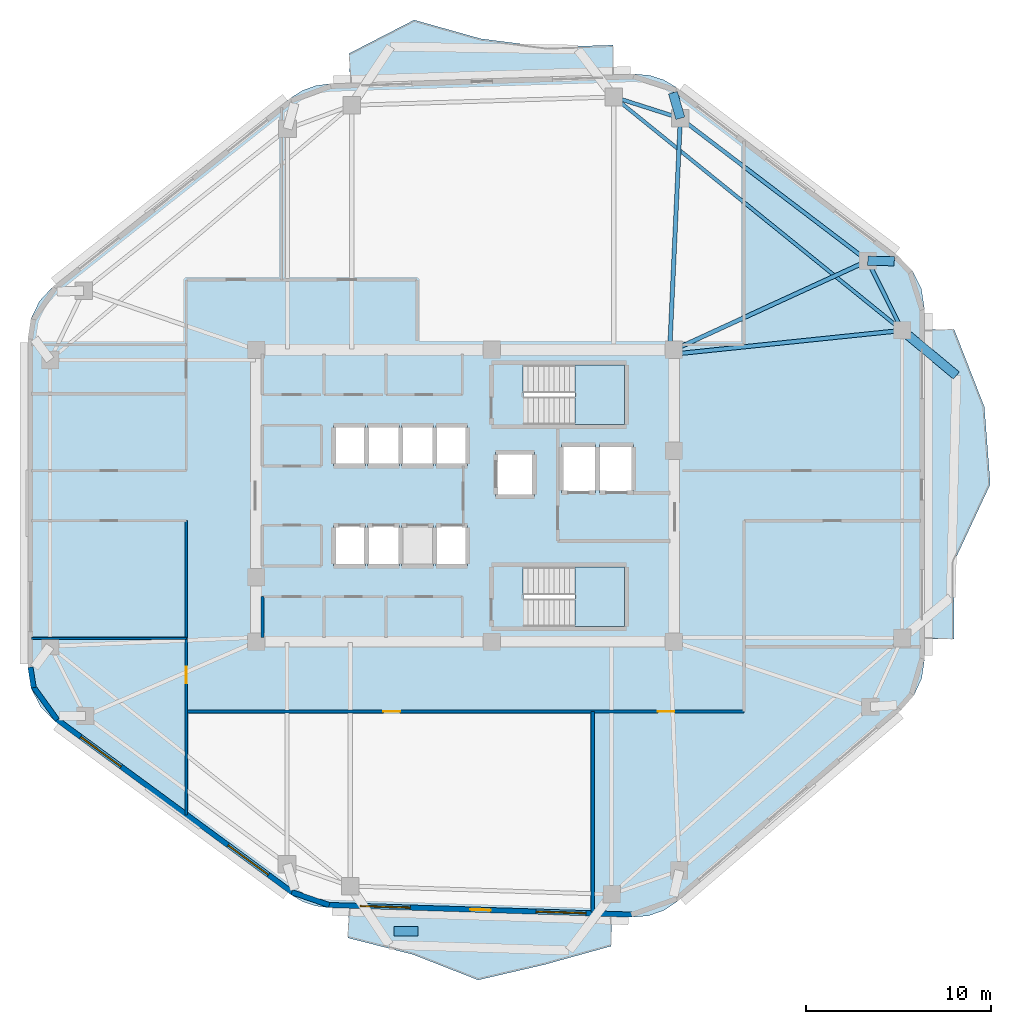
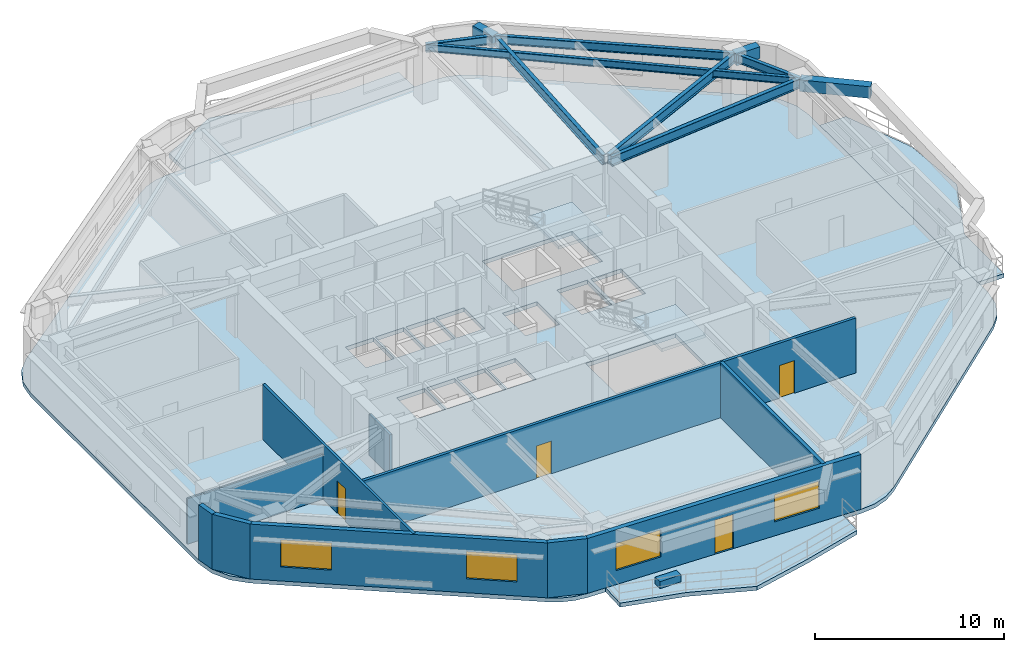
# One storey, part 2 of 9: 10 beams, 10 walls, 6 slabs, 4 doors, 4 windows, 1 plate, 8 openings, 2 elements without a shape of their own.
"""IFC4 building model written with IfcOpenShell, lengths in metres."""

from ifc_helpers import new_model, si_unit, direction, frame, frame_2d, origin, origin_2d, place, context, subcontext, project, spatial, polyline, rectangle, i_section, outline, extrude, material, layer, layer_set, material_profile, profile_set, type_object, element, fill, aggregate, save


model = new_model("IFC4")

# Units and contexts
model_context = context("Model", 3, precision=1e-05, world=origin(), true_north=direction((0.0, 1.0)))
body_context = subcontext(model_context, "Body", "Model", "MODEL_VIEW")
ifc_project = project(units=[si_unit("LENGTHUNIT", "METRE"), si_unit("AREAUNIT", "SQUARE_METRE"), si_unit("VOLUMEUNIT", "CUBIC_METRE"), si_unit("PLANEANGLEUNIT", "RADIAN"), si_unit("MASSUNIT", "GRAM", prefix="KILO")], contexts=[model_context])

# Site, building, storey
site_placement = place(None, origin())
site = spatial("IfcSite", under=ifc_project, at=site_placement, CompositionType="ELEMENT")
building_placement = place(site_placement, origin())
building = spatial("IfcBuilding", under=site, at=building_placement, Name="Zulverin Broadcast Headquarters", CompositionType="ELEMENT")
storey_placement = place(building_placement, frame((0.0, 0.0, 159.199951171875)))
storey = spatial("IfcBuildingStorey", under=building, at=storey_placement, Name="L40", CompositionType="ELEMENT", Elevation=159.199951171875)

# Beams
ifc_material_1 = material(Name="Concrete C40/50", Category="concrete")
ifc_material_profile_1 = material_profile(ifc_material_1, rectangle(XDim=0.5, YDim=0.75, at=origin_2d()), Name="Concrete C40/50", Category="concrete")
ifc_profile_set_1 = profile_set([ifc_material_profile_1], Name="Concrete C40/50")
beam_type_1 = type_object("IfcBeamType", Name="BM-RC-500x750", PredefinedType="BEAM", material=ifc_profile_set_1)
for number, where, z_axis, x_axis, name in (
    (1, (58.738037109375, 37.877685546875, 3.1650390625), (0.99990438472, -0.013828283279, 0.0), (0.013828283279, 0.99990438472, 0.0), "L41 Plate Overhang Back-Spanned Beam OVR-07"),
    (2, (48.62158203125, 45.574951171875, 3.1650390625), (-0.28015077605, 0.959956010804, 0.0), (-0.959956010804, -0.28015077605, 0.0), "L41 Plate Overhang Back-Spanned Beam OVR-08"),
):
    element("IfcBeam", number, at=place(storey_placement, frame(where, z_axis=z_axis, x_axis=x_axis)), inside=storey, type_object=beam_type_1, Name=name, PredefinedType="BEAM", context=body_context, shape_type="SweptSolid", body=[
        extrude(rectangle(XDim=0.5, YDim=0.75, at=origin_2d()), origin(), (0.0, 0.0, 1.0), 1.43017578125),
    ])
beam_1_placement = place(storey_placement, frame((60.60009765625, 34.12158203125, 3.1650390625), z_axis=(0.768400300007, -0.639969514078, 0.0), x_axis=(0.639969514078, 0.768400300007, 0.0)))
element("IfcBeam", 3, at=beam_1_placement, inside=storey, type_object=beam_type_1, Name="L41 Balcony Column-Framed Cantilever BAL_E-2", PredefinedType="BEAM", context=body_context, shape_type="SweptSolid", body=[
    extrude(rectangle(XDim=0.5, YDim=0.75, at=origin_2d()), origin(), (0.0, 0.0, 1.0), 3.800048828125),
])
ifc_material_2 = material(Name="Structural steel S355JR", Category="steel")
ifc_material_profile_2 = material_profile(ifc_material_2, i_section(OverallWidth=0.19287109375, OverallDepth=0.46728515625, WebThickness=0.011474609375, FlangeThickness=0.01953125, at=origin_2d()), Name="Structural steel S355JR", Category="steel")
ifc_profile_set_2 = profile_set([ifc_material_profile_2], Name="Structural steel S355JR")
beam_type_2 = type_object("IfcBeamType", Name="BM-UB-457", PredefinedType="JOIST", material=ifc_profile_set_2)
beam_2_placement = place(storey_placement, frame((60.60009765625, 34.12158203125, 3.306396484375), z_axis=(-0.777349017335, 0.629069555175, 0.0), x_axis=(-0.629069555175, -0.777349017335, 0.0)))
element("IfcBeam", 4, at=beam_2_placement, inside=storey, type_object=beam_type_2, Name="L40 Chordal Floor Joist J-02", PredefinedType="JOIST", context=body_context, shape_type="SweptSolid", body=[
    extrude(i_section(OverallWidth=0.19287109375, OverallDepth=0.46728515625, WebThickness=0.011474609375, FlangeThickness=0.01953125, at=origin_2d()), origin(), (0.0, 0.0, 1.0), 20.032958984375),
])
ifc_material_profile_3 = material_profile(ifc_material_2, i_section(OverallWidth=0.2119140625, OverallDepth=0.54443359375, WebThickness=0.0126953125, FlangeThickness=0.021240234375, at=origin_2d()), Name="Structural steel S355JR", Category="steel")
ifc_profile_set_3 = profile_set([ifc_material_profile_3], Name="Structural steel S355JR")
beam_type_3 = type_object("IfcBeamType", Name="BM-UB-533", PredefinedType="SPANDREL", material=ifc_profile_set_3)
beam_3_placement = place(storey_placement, frame((60.60009765625, 34.12158203125, 3.267822265625), z_axis=(-0.444159471033, 0.895947746407, 0.0), x_axis=(-0.895947746407, -0.444159471033, 0.0)))
element("IfcBeam", 5, at=beam_3_placement, inside=storey, type_object=beam_type_3, Name="L40 Perimeter Spandrel Beam SP-06", PredefinedType="SPANDREL", context=body_context, shape_type="SweptSolid", body=[
    extrude(i_section(OverallWidth=0.2119140625, OverallDepth=0.54443359375, WebThickness=0.0126953125, FlangeThickness=0.021240234375, at=origin_2d()), origin(), (0.0, 0.0, 1.0), 4.1923828125),
])
beam_4_placement = place(storey_placement, frame((58.738037109375, 37.877685546875, 3.267822265625), z_axis=(-0.795830102505, 0.60551998146, 0.0), x_axis=(-0.60551998146, -0.795830102505, 0.0)))
element("IfcBeam", 6, at=beam_4_placement, inside=storey, type_object=beam_type_3, Name="L40 Perimeter Spandrel Beam SP-07", PredefinedType="SPANDREL", context=body_context, shape_type="SweptSolid", body=[
    extrude(i_section(OverallWidth=0.2119140625, OverallDepth=0.54443359375, WebThickness=0.0126953125, FlangeThickness=0.021240234375, at=origin_2d()), origin(), (0.0, 0.0, 1.0), 12.7119140625),
])
beam_5_placement = place(storey_placement, frame((48.62158203125, 45.574951171875, 3.267822265625), z_axis=(-0.952531523781, 0.304439971428, 0.0), x_axis=(-0.304439971428, -0.952531523781, 0.0)))
element("IfcBeam", 7, at=beam_5_placement, inside=storey, type_object=beam_type_3, Name="L40 Perimeter Spandrel Beam SP-08", PredefinedType="SPANDREL", context=body_context, shape_type="SweptSolid", body=[
    extrude(i_section(OverallWidth=0.2119140625, OverallDepth=0.54443359375, WebThickness=0.0126953125, FlangeThickness=0.021240234375, at=origin_2d()), origin(), (0.0, 0.0, 1.0), 3.773193359375),
])
ifc_material_profile_4 = material_profile(ifc_material_2, i_section(OverallWidth=0.230224609375, OverallDepth=0.6171875, WebThickness=0.01318359375, FlangeThickness=0.022216796875, at=origin_2d()), Name="Structural steel S355JR", Category="steel")
ifc_profile_set_4 = profile_set([ifc_material_profile_4], Name="Structural steel S355JR")
beam_type_4 = type_object("IfcBeamType", Name="BM-UB-610", PredefinedType="BEAM", material=ifc_profile_set_4)
beam_6_placement = place(storey_placement, frame((48.324951171875, 32.85009765625, 3.2314453125), z_axis=(0.994678169641, 0.103030766473, 0.0), x_axis=(-0.103030766473, 0.994678169641, 0.0)))
element("IfcBeam", 8, at=beam_6_placement, inside=storey, type_object=beam_type_4, Name="L40 Radial Primary Floor Beam RB-06", PredefinedType="BEAM", context=body_context, shape_type="SweptSolid", body=[
    extrude(i_section(OverallWidth=0.230224609375, OverallDepth=0.6171875, WebThickness=0.01318359375, FlangeThickness=0.022216796875, at=origin_2d()), origin(), (0.0, 0.0, 1.0), 12.3408203125),
])
beam_7_placement = place(storey_placement, frame((48.27490234375, 33.074951171875, 3.2314453125), z_axis=(0.90883007293, 0.417166511764, 0.0), x_axis=(-0.417166511764, 0.90883007293, 0.0)))
element("IfcBeam", 9, at=beam_7_placement, inside=storey, type_object=beam_type_4, Name="L40 Radial Primary Floor Beam RB-07", PredefinedType="BEAM", context=body_context, shape_type="SweptSolid", body=[
    extrude(i_section(OverallWidth=0.230224609375, OverallDepth=0.6171875, WebThickness=0.01318359375, FlangeThickness=0.022216796875, at=origin_2d()), origin(), (0.0, 0.0, 1.0), 11.5126953125),
])
beam_8_placement = place(storey_placement, frame((48.050048828125, 33.125, 3.2314453125), z_axis=(0.045858166026, 0.998947960911, 0.0), x_axis=(-0.998947960911, 0.045858166026, 0.0)))
element("IfcBeam", 10, at=beam_8_placement, inside=storey, type_object=beam_type_4, Name="L40 Radial Primary Floor Beam RB-08", PredefinedType="BEAM", context=body_context, shape_type="SweptSolid", body=[
    extrude(i_section(OverallWidth=0.230224609375, OverallDepth=0.6171875, WebThickness=0.01318359375, FlangeThickness=0.022216796875, at=origin_2d()), origin(), (0.0, 0.0, 1.0), 12.463134765625),
])

# Plate
ifc_material_3 = material(Name="Precast concrete C45/55", Category="concrete")
ifc_layer_1 = layer(ifc_material_3, 0.449951171875, Name="Precast concrete C45/55", Category="concrete")
ifc_layer_set_1 = layer_set([ifc_layer_1], Name="Precast concrete C45/55")
plate_type = type_object("IfcPlateType", Name="PT-01_PRECAST_GFRC_TREE_PLANTER", PredefinedType="USERDEFINED", material=ifc_layer_set_1)
plate_placement = place(storey_placement, frame((33.808349609375, 1.68115234375, -0.0048828125), z_axis=(0.0, 0.0, 1.0), x_axis=(1.0, 0.0, 0.0)))
element("IfcPlate", 11, at=plate_placement, inside=storey, type_object=plate_type, Name="L40 Precast GFRC Tree Planter BAL_S", ObjectType="PLANTER", PredefinedType="USERDEFINED", context=body_context, shape_type="SweptSolid", body=[
    extrude(rectangle(XDim=1.300048828125, YDim=0.5, at=origin_2d()), origin(), (0.0, 0.0, 1.0), 0.449951171875),
])

# Slabs
ifc_layer_2 = layer(ifc_material_1, 0.260009765625, Name="Concrete C40/50", Category="concrete")
ifc_layer_set_2 = layer_set([ifc_layer_2], Name="Concrete C40/50")
slab_type_1 = type_object("IfcSlabType", Name="SLB-BAL-260", PredefinedType="FLOOR", material=ifc_layer_set_2)
slab_1_placement = place(storey_placement, frame((0.0, 0.0, -0.260009765625)))
element("IfcSlab", 12, at=slab_1_placement, inside=storey, type_object=slab_type_1, Name="L40 Cantilevered Planted Balcony Slab BAL_E", PredefinedType="FLOOR", context=body_context, shape_type="SweptSolid", body=[
    extrude(outline(polyline([(61.800048828125, 34.17138671875), (61.800048828125, 17.46923828125), (63.39990234375, 17.46923828125), (63.39990234375, 21.644775390625), (65.35009765625, 25.8203125), (65.029541015625, 29.995849609375), (63.39990234375, 34.17138671875), (61.800048828125, 34.17138671875)])), origin(), (0.0, 0.0, 1.0), 0.260009765625),
])
slab_2_placement = place(storey_placement, frame((0.0, 0.0, -0.260009765625)))
element("IfcSlab", 13, at=slab_2_placement, inside=storey, type_object=slab_type_1, Name="L40 Cantilevered Planted Balcony Slab BAL_S", PredefinedType="FLOOR", context=body_context, shape_type="SweptSolid", body=[
    extrude(outline(polyline([(44.921630859375, 2.479248046875), (30.720458984375, 2.9296875), (30.669921875, 1.33056640625), (34.195068359375, 0.429931640625), (37.705322265625, -0.943603515625), (41.28564453125, -0.11328125), (44.87109375, 0.8798828125), (44.921630859375, 2.479248046875)])), origin(), (0.0, 0.0, 1.0), 0.260009765625),
])
slab_3_placement = place(storey_placement, frame((0.0, 0.0, -0.260009765625)))
element("IfcSlab", 14, at=slab_3_placement, inside=storey, type_object=slab_type_1, Name="L40 Cantilevered Planted Balcony Slab BAL_N", PredefinedType="FLOOR", context=body_context, shape_type="SweptSolid", body=[
    extrude(outline(polyline([(30.794189453125, 47.47265625), (45.03955078125, 47.924560546875), (44.98876953125, 49.523681640625), (41.427490234375, 49.410888671875), (37.847900390625, 49.86767578125), (34.2509765625, 50.87841796875), (30.743408203125, 49.072021484375), (30.794189453125, 47.47265625)])), origin(), (0.0, 0.0, 1.0), 0.260009765625),
])

# Stair, slab
stair_type = type_object("IfcStairType", Name="ST-CORE-1500", PredefinedType="HALF_TURN_STAIR", material=ifc_material_1)
stair_1_placement = place(storey_placement, origin())
stair_1 = element("IfcStair", 15, at=stair_1_placement, inside=storey, type_object=stair_type, Name="L40 Core Exit Stair ST-1", PredefinedType="HALF_TURN_STAIR")
ifc_layer_3 = layer(ifc_material_1, 0.199951171875, Name="Concrete C40/50", Category="concrete")
ifc_layer_set_3 = layer_set([ifc_layer_3], Name="Concrete C40/50")
slab_type_2 = type_object("IfcSlabType", Name="SLB-ST-LND200", PredefinedType="LANDING", material=ifc_layer_set_3)
slab_4_placement = place(storey_placement, frame((0.0, 0.0, 1.699951171875)))
slab_4 = element("IfcSlab", 16, at=slab_4_placement, type_object=slab_type_2, Name="ST-1 landing 1", PredefinedType="LANDING", context=body_context, shape_type="SweptSolid", body=[
    extrude(outline(polyline([(42.929931640625, 29.050048828125), (45.60009765625, 29.050048828125), (45.60009765625, 32.25), (42.929931640625, 32.25), (42.929931640625, 29.050048828125)])), origin(), (0.0, 0.0, 1.0), 0.2001953125),
])
aggregate(stair_1, [slab_4])

stair_2_placement = place(storey_placement, origin())
stair_2 = element("IfcStair", 17, at=stair_2_placement, inside=storey, type_object=stair_type, Name="L40 Core Exit Stair ST-2", PredefinedType="HALF_TURN_STAIR")
slab_5_placement = place(storey_placement, frame((0.0, 0.0, 1.699951171875)))
slab_5 = element("IfcSlab", 18, at=slab_5_placement, type_object=slab_type_2, Name="ST-2 landing 1", PredefinedType="LANDING", context=body_context, shape_type="SweptSolid", body=[
    extrude(outline(polyline([(42.929931640625, 18.14990234375), (45.60009765625, 18.14990234375), (45.60009765625, 21.35009765625), (42.929931640625, 21.35009765625), (42.929931640625, 18.14990234375)])), origin(), (0.0, 0.0, 1.0), 0.2001953125),
])
aggregate(stair_2, [slab_5])

# Slab
ifc_layer_4 = layer(ifc_material_1, 0.260009765625, Name="Concrete C40/50", Category="concrete")
ifc_layer_set_4 = layer_set([ifc_layer_4], Name="Concrete C40/50")
slab_type_3 = type_object("IfcSlabType", Name="SLB-TWR-260", PredefinedType="FLOOR", material=ifc_layer_set_4)
slab_6_placement = place(storey_placement, frame((0.0, 0.0, -0.260009765625)))
element("IfcSlab", 19, at=slab_6_placement, inside=storey, type_object=slab_type_3, Name="L40 Main Structural Floor Slab", PredefinedType="FLOOR", context=body_context, shape_type="SweptSolid", body=[
    extrude(outline(polyline([(27.603515625, 3.661865234375), (28.224365234375, 3.295166015625), (28.906005859375, 3.0595703125), (29.62109375, 2.964599609375), (46.02099609375, 2.4443359375), (46.902587890625, 2.525146484375), (47.738037109375, 2.81884765625), (48.476318359375, 3.3076171875), (60.541015625, 13.63427734375), (61.220703125, 14.41064453125), (61.652099609375, 15.34814453125), (61.800048828125, 16.369384765625), (61.800048828125, 35.271484375), (61.6318359375, 36.358642578125), (61.143310546875, 37.344482421875), (60.3798828125, 38.136474609375), (48.432861328125, 47.226318359375), (47.73095703125, 47.643798828125), (46.952880859375, 47.892578125), (46.138916015625, 47.95947265625), (29.694580078125, 47.437744140625), (28.9365234375, 47.332275390625), (28.2177734375, 47.06884765625), (27.57080078125, 46.659423828125), (14.761962890625, 36.492919921875), (14.02880859375, 35.705810546875), (13.560791015625, 34.737060546875), (13.39990234375, 33.673095703125), (13.39990234375, 15.921875), (13.57421875, 14.815673828125), (14.079833984375, 13.81640625), (14.8681640625, 13.02099609375), (27.603515625, 3.661865234375)]), holes=[polyline([(40.155029296875, 30.75), (40.130126953125, 30.75), (40.130126953125, 32.25), (45.60009765625, 32.25), (45.60009765625, 29.050048828125), (40.155029296875, 29.050048828125), (40.155029296875, 30.75)]), polyline([(40.155029296875, 19.85009765625), (40.130126953125, 19.85009765625), (40.130126953125, 21.35009765625), (45.60009765625, 21.35009765625), (45.60009765625, 18.14990234375), (40.155029296875, 18.14990234375), (40.155029296875, 19.85009765625)]), polyline([(29.89990234375, 21.39990234375), (31.6201171875, 21.39990234375), (31.6201171875, 23.60009765625), (29.89990234375, 23.60009765625), (29.89990234375, 21.39990234375)]), polyline([(31.739990234375, 21.39990234375), (33.4599609375, 21.39990234375), (33.4599609375, 23.60009765625), (31.739990234375, 23.60009765625), (31.739990234375, 21.39990234375)]), polyline([(33.580078125, 21.39990234375), (35.300048828125, 21.39990234375), (35.300048828125, 23.60009765625), (33.580078125, 23.60009765625), (33.580078125, 21.39990234375)]), polyline([(35.419921875, 21.39990234375), (37.139892578125, 21.39990234375), (37.139892578125, 23.60009765625), (35.419921875, 23.60009765625), (35.419921875, 21.39990234375)]), polyline([(29.89990234375, 26.800048828125), (31.6201171875, 26.800048828125), (31.6201171875, 29.0), (29.89990234375, 29.0), (29.89990234375, 26.800048828125)]), polyline([(31.739990234375, 26.800048828125), (33.4599609375, 26.800048828125), (33.4599609375, 29.0), (31.739990234375, 29.0), (31.739990234375, 26.800048828125)]), polyline([(33.580078125, 26.800048828125), (35.300048828125, 26.800048828125), (35.300048828125, 29.0), (33.580078125, 29.0), (33.580078125, 26.800048828125)]), polyline([(35.419921875, 26.800048828125), (37.139892578125, 26.800048828125), (37.139892578125, 29.0), (35.419921875, 29.0), (35.419921875, 26.800048828125)]), polyline([(42.199951171875, 25.35009765625), (44.050048828125, 25.35009765625), (44.050048828125, 27.949951171875), (42.199951171875, 27.949951171875), (42.199951171875, 25.35009765625)]), polyline([(44.25, 25.35009765625), (46.10009765625, 25.35009765625), (46.10009765625, 27.949951171875), (44.25, 27.949951171875), (44.25, 25.35009765625)]), polyline([(38.64990234375, 25.14990234375), (40.75, 25.14990234375), (40.75, 27.550048828125), (38.64990234375, 27.550048828125), (38.64990234375, 25.14990234375)])]), origin(), (0.0, 0.0, 1.0), 0.260009765625),
])

# Wall
ifc_material_4 = material(Name="Acoustic drywall steel stud", Category="steel")
ifc_layer_5 = layer(ifc_material_4, 0.199951171875, Name="Acoustic drywall steel stud", Category="steel")
ifc_layer_set_5 = layer_set([ifc_layer_5], Name="Acoustic drywall steel stud")
wall_type_1 = type_object("IfcWallType", Name="WL-ACOU-200", PredefinedType="PARTITIONING", material=ifc_layer_set_5)
wall_1_placement = place(storey_placement, frame((43.89990234375, 2.716552734375, 0.0), z_axis=(0.0, 0.0, 1.0), x_axis=(0.0, 1.0, 0.0)))
element("IfcWall", 20, at=wall_1_placement, inside=storey, type_object=wall_type_1, Name="L40 Room Partition Wall RP-03", PredefinedType="PARTITIONING", context=body_context, shape_type="SweptSolid", body=[
    extrude(rectangle(XDim=10.83349609375, YDim=0.199951171875, at=frame_2d((5.416748046875, 0.0))), origin(), (0.0, 0.0, 1.0), 3.5400390625),
])

# Wall, openings, door, windows
ifc_material_5 = material(Name="Insulated pale-metal clad concrete spandrel C40/50", Category="concrete")
ifc_layer_6 = layer(ifc_material_5, 0.280029296875, Name="Insulated pale-metal clad concrete spandrel C40/50", Category="concrete")
ifc_layer_set_6 = layer_set([ifc_layer_6], Name="Insulated pale-metal clad concrete spandrel C40/50")
wall_type_2 = type_object("IfcWallType", Name="WL-EXT-280", PredefinedType="STANDARD", material=ifc_layer_set_6)
wall_2_placement = place(storey_placement, frame((29.62548828125, 3.1044921875, 0.0), z_axis=(0.0, 0.0, 1.0), x_axis=(0.99949718661, -0.031707632487, 0.0)))
wall_2 = element("IfcWall", 21, at=wall_2_placement, inside=storey, type_object=wall_type_2, Name="L40 Pale-Metal Clad Spandrel Wall 1", PredefinedType="STANDARD", context=body_context, shape_type="SweptSolid", body=[
    extrude(rectangle(XDim=16.408203125, YDim=0.280029296875, at=frame_2d((8.2041015625, 0.0))), origin(), (0.0, 0.0, 1.0), 3.5400390625),
])
opening_1_placement = place(wall_2_placement, frame((7.654052734375, 0.0, 0.0)))
opening_1 = element("IfcOpeningElement", 22, at=opening_1_placement, cuts=wall_2, Name="Opening D-L40-TR1", PredefinedType="OPENING", context=body_context, shape_type="SweptSolid", body=[
    extrude(rectangle(XDim=1.10009765625, YDim=2.199951171875, at=frame_2d((0.550048828125, 1.10009765625))), frame((0.0, 0.14990234375, 0.0), z_axis=(0.0, -1.0, 0.0), x_axis=(1.0, 0.0, 0.0)), (0.0, 0.0, 1.0), 0.300048828125),
])
opening_2_placement = place(wall_2_placement, frame((1.718017578125, 0.0, 0.89990234375)))
opening_2 = element("IfcOpeningElement", 23, at=opening_2_placement, cuts=wall_2, Name="Opening W-L40-E11", PredefinedType="OPENING", context=body_context, shape_type="SweptSolid", body=[
    extrude(rectangle(XDim=2.699951171875, YDim=1.75, at=frame_2d((1.35009765625, 0.875))), frame((0.0, 0.14990234375, 0.0), z_axis=(0.0, -1.0, 0.0), x_axis=(1.0, 0.0, 0.0)), (0.0, 0.0, 1.0), 0.300048828125),
])
opening_3_placement = place(wall_2_placement, frame((11.210205078125, 0.0, 0.89990234375)))
opening_3 = element("IfcOpeningElement", 24, at=opening_3_placement, cuts=wall_2, Name="Opening W-L40-E12", PredefinedType="OPENING", context=body_context, shape_type="SweptSolid", body=[
    extrude(rectangle(XDim=2.699951171875, YDim=1.75, at=frame_2d((1.35009765625, 0.875))), frame((0.0, 0.14990234375, 0.0), z_axis=(0.0, -1.0, 0.0), x_axis=(1.0, 0.0, 0.0)), (0.0, 0.0, 1.0), 0.300048828125),
])
ifc_material_6 = material(Name="Thermally broken aluminium glazed", Category="aluminium")
door_type_1 = type_object("IfcDoorType", Name="DR-TERR-1100", OperationType="SINGLE_SWING_RIGHT", PredefinedType="DOOR", material=ifc_material_6)
door_1_placement = place(opening_1_placement, origin())
door_1 = element("IfcDoor", 25, at=door_1_placement, inside=storey, type_object=door_type_1, Name="L40 Planted Terrace Glazed Access Door 1", OperationType="SINGLE_SWING_RIGHT", OverallHeight=2.199951171875, OverallWidth=1.10009765625, PredefinedType="DOOR", context=body_context, shape_type="SweptSolid", body=[
    extrude(rectangle(XDim=1.10009765625, YDim=2.199951171875, at=frame_2d((0.550048828125, 1.10009765625))), frame((0.0, 0.02490234375, 0.0), z_axis=(0.0, -1.0, 0.0), x_axis=(1.0, 0.0, 0.0)), (0.0, 0.0, 1.0), 0.050048828125),
])
fill(opening_1, door_1)
ifc_material_7 = material(Name="Pale anodized aluminium frame with solar-control low-E double glazing", Category="aluminium")
window_type = type_object("IfcWindowType", Name="WIN-TWR-2700", PartitioningType="SINGLE_PANEL", PredefinedType="WINDOW", material=ifc_material_7)
window_1_placement = place(opening_2_placement, origin())
window_1 = element("IfcWindow", 26, at=window_1_placement, inside=storey, type_object=window_type, Name="L40 Ribbon Glazing Window 1 1", OverallHeight=1.75, OverallWidth=2.699951171875, PartitioningType="SINGLE_PANEL", PredefinedType="WINDOW", context=body_context, shape_type="SweptSolid", body=[
    extrude(rectangle(XDim=2.699951171875, YDim=1.75, at=frame_2d((1.35009765625, 0.875))), frame((0.0, 0.030029296875, 0.0), z_axis=(0.0, -1.0, 0.0), x_axis=(1.0, 0.0, 0.0)), (0.0, 0.0, 1.0), 0.06005859375),
])
fill(opening_2, window_1)
window_2_placement = place(opening_3_placement, origin())
window_2 = element("IfcWindow", 27, at=window_2_placement, inside=storey, type_object=window_type, Name="L40 Ribbon Glazing Window 1 2", OverallHeight=1.75, OverallWidth=2.699951171875, PartitioningType="SINGLE_PANEL", PredefinedType="WINDOW", context=body_context, shape_type="SweptSolid", body=[
    extrude(rectangle(XDim=2.699951171875, YDim=1.75, at=frame_2d((1.35009765625, 0.875))), frame((0.0, 0.030029296875, 0.0), z_axis=(0.0, -1.0, 0.0), x_axis=(1.0, 0.0, 0.0)), (0.0, 0.0, 1.0), 0.06005859375),
])
fill(opening_3, window_2)

# Wall, openings, windows
wall_3_placement = place(storey_placement, frame((14.950927734375, 13.1337890625, 0.0), z_axis=(0.0, 0.0, 1.0), x_axis=(0.805804940328, -0.592181051827, 0.0)))
wall_3 = element("IfcWall", 28, at=wall_3_placement, inside=storey, type_object=wall_type_2, Name="L40 Pale-Metal Clad Spandrel Wall 8", PredefinedType="STANDARD", context=body_context, shape_type="SweptSolid", body=[
    extrude(rectangle(XDim=15.804443359375, YDim=0.280029296875, at=frame_2d((7.90234375, 0.0))), origin(), (0.0, 0.0, 1.0), 3.5400390625),
])
opening_4_placement = place(wall_3_placement, frame((1.617431640625, 0.0, 0.89990234375)))
opening_4 = element("IfcOpeningElement", 29, at=opening_4_placement, cuts=wall_3, Name="Opening W-L40-E81", PredefinedType="OPENING", context=body_context, shape_type="SweptSolid", body=[
    extrude(rectangle(XDim=2.699951171875, YDim=1.75, at=frame_2d((1.35009765625, 0.875))), frame((0.0, 0.14990234375, 0.0), z_axis=(0.0, -1.0, 0.0), x_axis=(1.0, 0.0, 0.0)), (0.0, 0.0, 1.0), 0.300048828125),
])
opening_5_placement = place(wall_3_placement, frame((11.487060546875, 0.0, 0.89990234375)))
opening_5 = element("IfcOpeningElement", 30, at=opening_5_placement, cuts=wall_3, Name="Opening W-L40-E82", PredefinedType="OPENING", context=body_context, shape_type="SweptSolid", body=[
    extrude(rectangle(XDim=2.699951171875, YDim=1.75, at=frame_2d((1.35009765625, 0.875))), frame((0.0, 0.14990234375, 0.0), z_axis=(0.0, -1.0, 0.0), x_axis=(1.0, 0.0, 0.0)), (0.0, 0.0, 1.0), 0.300048828125),
])
window_3_placement = place(opening_4_placement, origin())
window_3 = element("IfcWindow", 31, at=window_3_placement, inside=storey, type_object=window_type, Name="L40 Ribbon Glazing Window 8 1", OverallHeight=1.75, OverallWidth=2.699951171875, PartitioningType="SINGLE_PANEL", PredefinedType="WINDOW", context=body_context, shape_type="SweptSolid", body=[
    extrude(rectangle(XDim=2.699951171875, YDim=1.75, at=frame_2d((1.35009765625, 0.875))), frame((0.0, 0.030029296875, 0.0), z_axis=(0.0, -1.0, 0.0), x_axis=(1.0, 0.0, 0.0)), (0.0, 0.0, 1.0), 0.06005859375),
])
fill(opening_4, window_3)
window_4_placement = place(opening_5_placement, origin())
window_4 = element("IfcWindow", 32, at=window_4_placement, inside=storey, type_object=window_type, Name="L40 Ribbon Glazing Window 8 2", OverallHeight=1.75, OverallWidth=2.699951171875, PartitioningType="SINGLE_PANEL", PredefinedType="WINDOW", context=body_context, shape_type="SweptSolid", body=[
    extrude(rectangle(XDim=2.699951171875, YDim=1.75, at=frame_2d((1.35009765625, 0.875))), frame((0.0, 0.030029296875, 0.0), z_axis=(0.0, -1.0, 0.0), x_axis=(1.0, 0.0, 0.0)), (0.0, 0.0, 1.0), 0.06005859375),
])
fill(opening_5, window_4)

# Walls
wall_4_placement = place(storey_placement, frame((13.538330078125, 15.943603515625, 0.0), z_axis=(0.0, 0.0, 1.0), x_axis=(0.155447556013, -0.987844146275, 0.0)))
element("IfcWall", 33, at=wall_4_placement, inside=storey, type_object=wall_type_2, Name="L40 Wind-Shaped Corner Spandrel Wall 7-1", PredefinedType="STANDARD", context=body_context, shape_type="SweptSolid", body=[
    extrude(rectangle(XDim=1.119873046875, YDim=0.280029296875, at=frame_2d((0.56005859375, 0.0))), origin(), (0.0, 0.0, 1.0), 3.5400390625),
])
wall_5_placement = place(storey_placement, frame((13.687744140625, 14.897705078125, 0.0), z_axis=(0.0, 0.0, 1.0), x_axis=(0.584833657716, -0.811153248655, 0.0)))
element("IfcWall", 34, at=wall_5_placement, inside=storey, type_object=wall_type_2, Name="L40 Wind-Shaped Corner Spandrel Wall 7-2", PredefinedType="STANDARD", context=body_context, shape_type="SweptSolid", body=[
    extrude(rectangle(XDim=2.21240234375, YDim=0.280029296875, at=frame_2d((1.106201171875, 0.0))), origin(), (0.0, 0.0, 1.0), 3.5400390625),
])
wall_6_placement = place(storey_placement, frame((27.649169921875, 3.794189453125, 0.0), z_axis=(0.0, 0.0, 1.0), x_axis=(0.945149124969, -0.326639145802, 0.0)))
element("IfcWall", 35, at=wall_6_placement, inside=storey, type_object=wall_type_2, Name="L40 Wind-Shaped Corner Spandrel Wall 8-1", PredefinedType="STANDARD", context=body_context, shape_type="SweptSolid", body=[
    extrude(rectangle(XDim=2.134765625, YDim=0.280029296875, at=frame_2d((1.0673828125, 0.0))), origin(), (0.0, 0.0, 1.0), 3.5400390625),
])
ifc_material_8 = material(Name="Fire-rated acoustic laminated glass screen", Category="glass")
ifc_layer_7 = layer(ifc_material_8, 0.10009765625, Name="Fire-rated acoustic laminated glass screen", Category="glass")
ifc_layer_set_7 = layer_set([ifc_layer_7], Name="Fire-rated acoustic laminated glass screen")
wall_type_3 = type_object("IfcWallType", Name="WL-GLAZ-100", PredefinedType="PARTITIONING", material=ifc_layer_set_7)
wall_7_placement = place(storey_placement, frame((13.60498046875, 17.5, 0.0), z_axis=(0.0, 0.0, 1.0), x_axis=(1.0, 0.0, 0.0)))
element("IfcWall", 36, at=wall_7_placement, inside=storey, type_object=wall_type_3, Name="L40 Room Partition Wall RP-10", PredefinedType="PARTITIONING", context=body_context, shape_type="SweptSolid", body=[
    extrude(rectangle(XDim=8.344970703125, YDim=0.10009765625, at=frame_2d((4.17236328125, 0.0))), origin(), (0.0, 0.0, 1.0), 2.9228515625),
])
ifc_material_9 = material(Name="Fire-rated gypsum stud partition", Category="gypsum")
ifc_layer_8 = layer(ifc_material_9, 0.14990234375, Name="Fire-rated gypsum stud partition", Category="gypsum")
ifc_layer_set_8 = layer_set([ifc_layer_8], Name="Fire-rated gypsum stud partition")
wall_type_4 = type_object("IfcWallType", Name="WL-PART-150", PredefinedType="PARTITIONING", material=ifc_layer_set_8)
wall_8_placement = place(storey_placement, frame((26.070068359375, 17.550048828125, 0.0), z_axis=(0.0, 0.0, 1.0), x_axis=(0.0, 1.0, 0.0)))
element("IfcWall", 37, at=wall_8_placement, inside=storey, type_object=wall_type_4, Name="L40 Core Female WC West Wall", PredefinedType="PARTITIONING", context=body_context, shape_type="SweptSolid", body=[
    extrude(rectangle(XDim=2.199951171875, YDim=0.14990234375, at=frame_2d((1.10009765625, 0.0))), origin(), (0.0, 0.0, 1.0), 2.64013671875),
])

# Wall, opening, door
wall_9_placement = place(storey_placement, frame((21.949951171875, 7.95654296875, 0.0), z_axis=(0.0, 0.0, 1.0), x_axis=(0.0, 1.0, 0.0)))
wall_9 = element("IfcWall", 38, at=wall_9_placement, inside=storey, type_object=wall_type_4, Name="L40 Gallery Partition Wall CG-06", PredefinedType="PARTITIONING", context=body_context, shape_type="SweptSolid", body=[
    extrude(rectangle(XDim=15.8935546875, YDim=0.14990234375, at=frame_2d((7.94677734375, 0.0))), origin(), (0.0, 0.0, 1.0), 3.5400390625),
])
opening_6_placement = place(wall_9_placement, frame((7.118408203125, 0.0, 0.0)))
opening_6 = element("IfcOpeningElement", 39, at=opening_6_placement, cuts=wall_9, Name="Opening D-L40-05", PredefinedType="OPENING", context=body_context, shape_type="SweptSolid", body=[
    extrude(rectangle(XDim=0.89990234375, YDim=2.10009765625, at=frame_2d((0.449951171875, 1.050048828125))), frame((0.0, 0.0849609375, 0.0), z_axis=(0.0, -1.0, 0.0), x_axis=(1.0, 0.0, 0.0)), (0.0, 0.0, 1.0), 0.169921875),
])
ifc_material_10 = material(Name="Fire-rated hardwood veneer timber leaf", Category="wood")
door_type_2 = type_object("IfcDoorType", Name="DR-ROOM-900", OperationType="SINGLE_SWING_RIGHT", PredefinedType="DOOR", material=ifc_material_10)
door_2_placement = place(opening_6_placement, origin())
door_2 = element("IfcDoor", 40, at=door_2_placement, inside=storey, type_object=door_type_2, Name="L40 Interview Room Door", OperationType="SINGLE_SWING_RIGHT", OverallHeight=2.10009765625, OverallWidth=0.89990234375, PredefinedType="DOOR", context=body_context, shape_type="SweptSolid", body=[
    extrude(rectangle(XDim=0.89990234375, YDim=2.10009765625, at=frame_2d((0.449951171875, 1.050048828125))), frame((0.0, 0.02490234375, 0.0), z_axis=(0.0, -1.0, 0.0), x_axis=(1.0, 0.0, 0.0)), (0.0, 0.0, 1.0), 0.050048828125),
])
fill(opening_6, door_2)

# Wall, openings, doors
ifc_material_11 = material(Name="Fire-rated acoustic stud wall", Category="gypsum")
ifc_layer_9 = layer(ifc_material_11, 0.175048828125, Name="Fire-rated acoustic stud wall", Category="gypsum")
ifc_layer_set_9 = layer_set([ifc_layer_9], Name="Fire-rated acoustic stud wall")
wall_type_5 = type_object("IfcWallType", Name="WL-PART-175", PredefinedType="PARTITIONING", material=ifc_layer_set_9)
wall_10_placement = place(storey_placement, frame((21.949951171875, 13.550048828125, 0.0), z_axis=(0.0, 0.0, 1.0), x_axis=(1.0, 0.0, 0.0)))
wall_10 = element("IfcWall", 41, at=wall_10_placement, inside=storey, type_object=wall_type_5, Name="L40 Gallery Partition Wall CG-08", PredefinedType="PARTITIONING", context=body_context, shape_type="SweptSolid", body=[
    extrude(rectangle(XDim=30.10009765625, YDim=0.175048828125, at=frame_2d((15.050048828125, 0.0))), origin(), (0.0, 0.0, 1.0), 3.5400390625),
])
opening_7_placement = place(wall_10_placement, frame((10.64501953125, 0.0, 0.0)))
opening_7 = element("IfcOpeningElement", 42, at=opening_7_placement, cuts=wall_10, Name="Opening D-L40-03", PredefinedType="OPENING", context=body_context, shape_type="SweptSolid", body=[
    extrude(rectangle(XDim=0.89990234375, YDim=2.10009765625, at=frame_2d((0.449951171875, 1.050048828125))), frame((0.0, 0.097412109375, 0.0), z_axis=(0.0, -1.0, 0.0), x_axis=(1.0, 0.0, 0.0)), (0.0, 0.0, 1.0), 0.195068359375),
])
opening_8_placement = place(wall_10_placement, frame((25.455078125, 0.0, 0.0)))
opening_8 = element("IfcOpeningElement", 43, at=opening_8_placement, cuts=wall_10, Name="Opening D-L40-04", PredefinedType="OPENING", context=body_context, shape_type="SweptSolid", body=[
    extrude(rectangle(XDim=0.89990234375, YDim=2.10009765625, at=frame_2d((0.449951171875, 1.050048828125))), frame((0.0, 0.097412109375, 0.0), z_axis=(0.0, -1.0, 0.0), x_axis=(1.0, 0.0, 0.0)), (0.0, 0.0, 1.0), 0.195068359375),
])
door_3_placement = place(opening_7_placement, origin())
door_3 = element("IfcDoor", 44, at=door_3_placement, inside=storey, type_object=door_type_2, Name="L40 Open Workspace Door", OperationType="SINGLE_SWING_RIGHT", OverallHeight=2.10009765625, OverallWidth=0.89990234375, PredefinedType="DOOR", context=body_context, shape_type="SweptSolid", body=[
    extrude(rectangle(XDim=0.89990234375, YDim=2.10009765625, at=frame_2d((0.449951171875, 1.050048828125))), frame((0.0, 0.02490234375, 0.0), z_axis=(0.0, -1.0, 0.0), x_axis=(1.0, 0.0, 0.0)), (0.0, 0.0, 1.0), 0.050048828125),
])
fill(opening_7, door_3)
door_4_placement = place(opening_8_placement, origin())
door_4 = element("IfcDoor", 45, at=door_4_placement, inside=storey, type_object=door_type_2, Name="L40 Meeting Room Door", OperationType="SINGLE_SWING_LEFT", OverallHeight=2.10009765625, OverallWidth=0.89990234375, PredefinedType="DOOR", context=body_context, shape_type="SweptSolid", body=[
    extrude(rectangle(XDim=0.89990234375, YDim=2.10009765625, at=frame_2d((0.449951171875, 1.050048828125))), frame((0.0, 0.02490234375, 0.0), z_axis=(0.0, -1.0, 0.0), x_axis=(1.0, 0.0, 0.0)), (0.0, 0.0, 1.0), 0.050048828125),
])
fill(opening_8, door_4)

save(model, "model.ifc")
